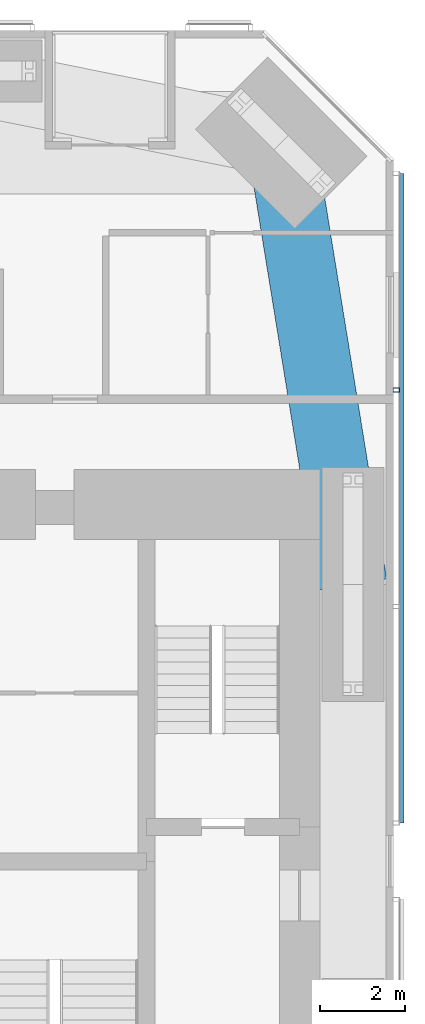
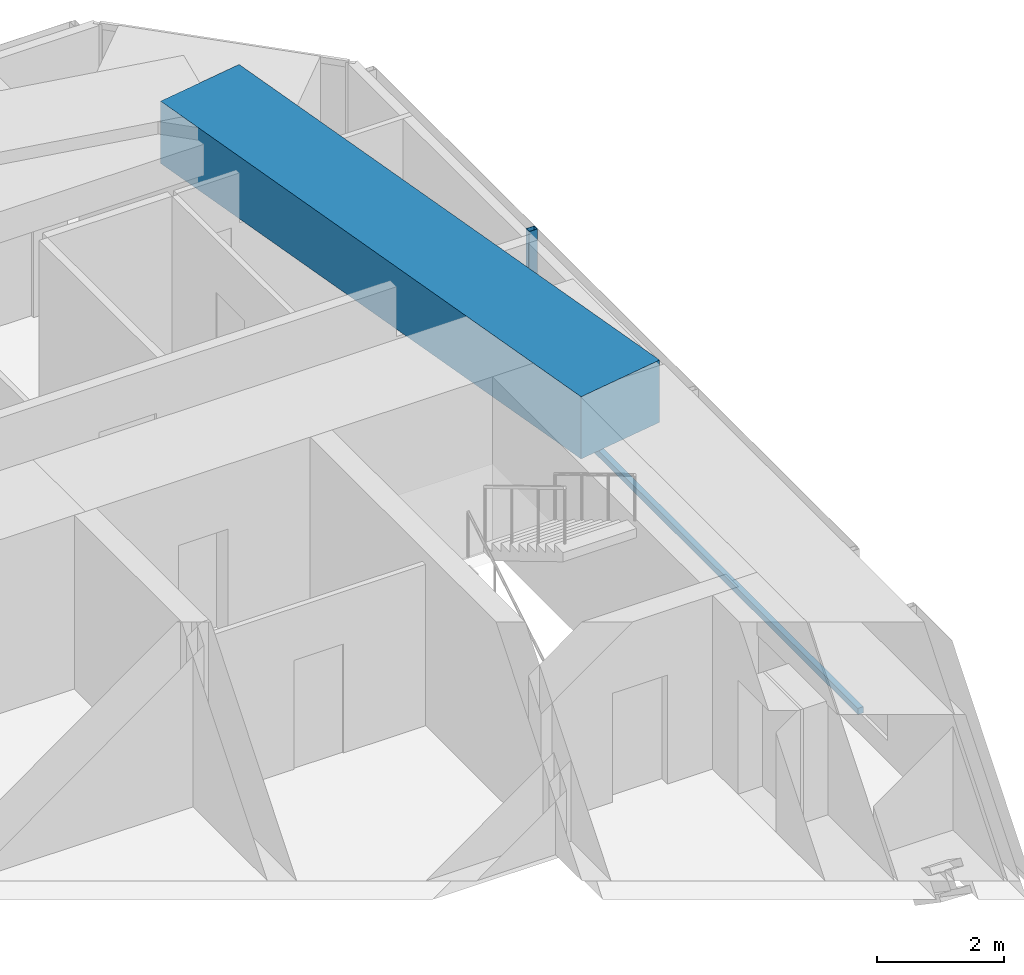
# One storey, part 11 of 24: 2 members, 1 beam, 1 element without a shape of its own.
"""IFC4 building model written with IfcOpenShell, lengths in metres."""

from ifc_helpers import new_model, si_unit, direction, frame, origin, origin_2d, place, context, subcontext, project, spatial, rectangle, hollow_rectangle, extrude, material, material_profile, profile_set, type_object, element, aggregate, save


model = new_model("IFC4")

# Units and contexts
model_context = context("Model", 3, precision=1e-05, world=origin(), true_north=direction((0.0, 1.0)))
body_context = subcontext(model_context, "Body", "Model", "MODEL_VIEW")
ifc_project = project(units=[si_unit("LENGTHUNIT", "METRE"), si_unit("AREAUNIT", "SQUARE_METRE"), si_unit("VOLUMEUNIT", "CUBIC_METRE"), si_unit("PLANEANGLEUNIT", "RADIAN"), si_unit("MASSUNIT", "GRAM", prefix="KILO")], contexts=[model_context])

# Site, building, storey
site_placement = place(None, origin())
site = spatial("IfcSite", under=ifc_project, at=site_placement, CompositionType="ELEMENT")
building_placement = place(site_placement, origin())
building = spatial("IfcBuilding", under=site, at=building_placement, Name="Jalousie Tower", CompositionType="ELEMENT")
storey_placement = place(building_placement, frame((0.0, 0.0, 57.85009765625)))
storey = spatial("IfcBuildingStorey", under=building, at=storey_placement, Name="L15", CompositionType="ELEMENT", Elevation=57.85009765625)

# Beam
ifc_material_1 = material(Name="Concrete f'c 40 MPa", Category="concrete")
ifc_material_profile_1 = material_profile(ifc_material_1, rectangle(XDim=1.60009765625, YDim=1.199951171875, at=origin_2d()), Name="RC 1600x1200")
ifc_profile_set_1 = profile_set([ifc_material_profile_1], Name="Concrete f'c 40 MPa")
beam_type = type_object("IfcBeamType", Name="RC BEAM 1600x1200", PredefinedType="BEAM", material=ifc_profile_set_1)
beam_placement = place(storey_placement, frame((45.050048828125, 25.0, 2.75), z_axis=(-0.160070546476, 0.987105577003, 0.0), x_axis=(-0.987105577003, -0.160070546476, 0.0)))
element("IfcBeam", 1, at=beam_placement, inside=storey, type_object=beam_type, Name="Edge band beam 07-08 under L16", PredefinedType="BEAM", context=body_context, shape_type="SweptSolid", body=[
    extrude(rectangle(XDim=1.60009765625, YDim=1.199951171875, at=origin_2d()), origin(), (0.0, 0.0, 1.0), 10.504150390625),
])

# Curtain wall, members
ifc_material_2 = material(Name="Perforated aluminium sheet", Category="aluminium")
curtain_wall_type = type_object("IfcCurtainWallType", Name="SOLAR SCREEN SS-1", PredefinedType="USERDEFINED", material=ifc_material_2)
curtain_wall_placement = place(storey_placement, origin())
curtain_wall = element("IfcCurtainWall", 2, at=curtain_wall_placement, inside=storey, type_object=curtain_wall_type, Name="Solar screen L15", ObjectType="SOLAR SCREEN SS-1", PredefinedType="USERDEFINED")
ifc_material_3 = material(Name="Steel ASTM A500 Grade C", Category="steel")
ifc_material_profile_2 = material_profile(ifc_material_3, hollow_rectangle(XDim=0.1015625, YDim=0.15234375, WallThickness=0.00634765625, at=origin_2d()), Name="HSS6X4X1/4")
ifc_profile_set_2 = profile_set([ifc_material_profile_2], Name="Steel ASTM A500 Grade C")
member_type_1 = type_object("IfcMemberType", Name="SOLAR SCREEN SS-1 MULLION", PredefinedType="MULLION", material=ifc_profile_set_2)
member_1_placement = place(storey_placement, frame((46.0712890625, 29.56591796875, -0.1201171875), z_axis=(0.0, 0.0, 1.0), x_axis=(0.0, 1.0, 0.0)))
member_1 = element("IfcMember", 3, at=member_1_placement, type_object=member_type_1, Name="SS1 post 3", PredefinedType="MULLION", context=body_context, shape_type="SweptSolid", body=[
    extrude(hollow_rectangle(XDim=0.1015625, YDim=0.15234375, WallThickness=0.00634765625, at=origin_2d()), origin(), (0.0, 0.0, 1.0), 3.22998046875),
])
ifc_material_4 = material(Name="Extruded aluminium screen rail", Category="aluminium")
ifc_material_profile_3 = material_profile(ifc_material_4, rectangle(XDim=0.1015625, YDim=0.1201171875, at=origin_2d()), Name="RAIL 102x120")
ifc_profile_set_3 = profile_set([ifc_material_profile_3], Name="Extruded aluminium screen rail")
member_type_2 = type_object("IfcMemberType", Name="SOLAR SCREEN SS-1 TRANSOM", PredefinedType="USERDEFINED", material=ifc_profile_set_3)
member_2_placement = place(storey_placement, frame((46.1982421875, 19.39990234375, -0.06005859375), z_axis=(0.0, 1.0, 0.0), x_axis=(-1.0, 0.0, 0.0)))
member_2 = element("IfcMember", 4, at=member_2_placement, type_object=member_type_2, Name="SS1 rail", ObjectType="TRANSOM", PredefinedType="USERDEFINED", context=body_context, shape_type="SweptSolid", body=[
    extrude(rectangle(XDim=0.1015625, YDim=0.1201171875, at=origin_2d()), origin(), (0.0, 0.0, 1.0), 15.248779296875),
])
aggregate(curtain_wall, [member_1, member_2])

save(model, "model.ifc")
